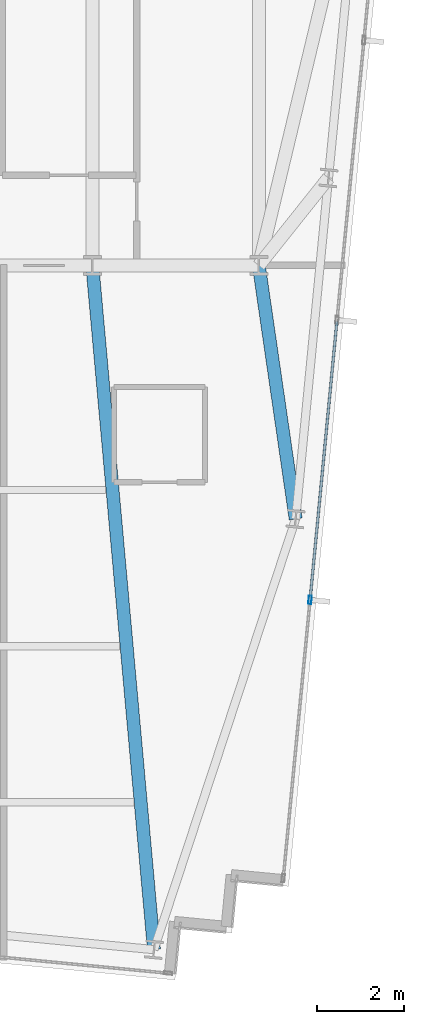
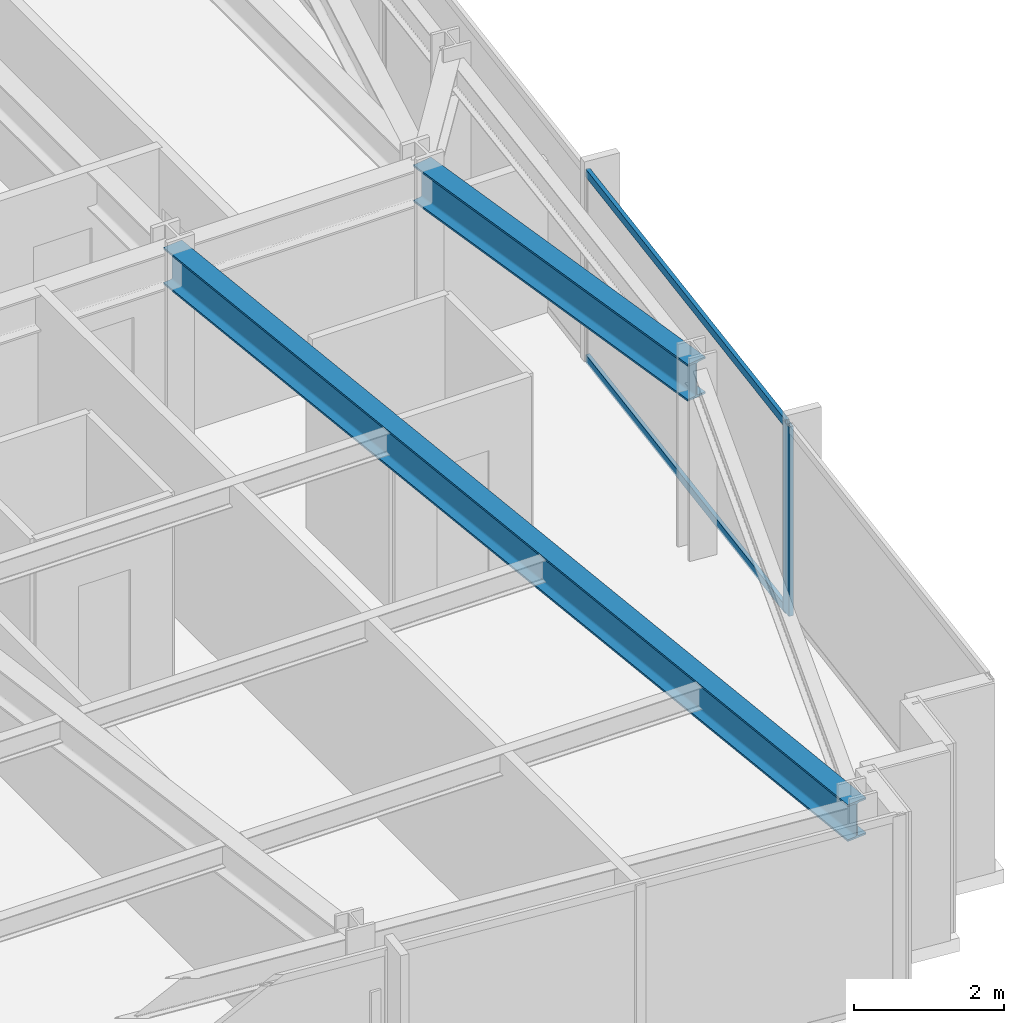
# One storey, part 15 of 37: 3 members, 2 beams, 1 element without a shape of its own.
"""IFC4 building model written with IfcOpenShell, lengths in metres."""

from ifc_helpers import new_model, si_unit, direction, frame, origin, origin_2d, place, context, subcontext, project, spatial, hollow_rectangle, i_section, extrude, material, material_profile, profile_set, type_object, element, aggregate, save


model = new_model("IFC4")

# Units and contexts
model_context = context("Model", 3, precision=1e-05, world=origin(), true_north=direction((0.0, 1.0)))
body_context = subcontext(model_context, "Body", "Model", "MODEL_VIEW")
ifc_project = project(units=[si_unit("LENGTHUNIT", "METRE"), si_unit("AREAUNIT", "SQUARE_METRE"), si_unit("VOLUMEUNIT", "CUBIC_METRE"), si_unit("PLANEANGLEUNIT", "RADIAN"), si_unit("MASSUNIT", "GRAM", prefix="KILO")], contexts=[model_context])

# Site, building, storey
site_placement = place(None, origin())
site = spatial("IfcSite", under=ifc_project, at=site_placement, CompositionType="ELEMENT")
building_placement = place(site_placement, origin())
building = spatial("IfcBuilding", under=site, at=building_placement, Name="Yelkora Congress Tower", CompositionType="ELEMENT")
storey_placement = place(building_placement, frame((0.0, 0.0, 158.89990234375)))
storey = spatial("IfcBuildingStorey", under=building, at=storey_placement, Name="L43", CompositionType="ELEMENT", Elevation=158.89990234375)

# Beams
ifc_material_1 = material(Name="Steel S355J2", Category="steel")
ifc_material_profile_1 = material_profile(ifc_material_1, i_section(OverallWidth=0.300048828125, OverallDepth=0.60009765625, WebThickness=0.015380859375, FlangeThickness=0.030029296875, FilletRadius=0.027099609375, at=origin_2d()), Name="HEB 600")
ifc_profile_set_1 = profile_set([ifc_material_profile_1], Name="Steel S355J2")
beam_type = type_object("IfcBeamType", Name="BM-GIRD-HEB600", PredefinedType="BEAM", material=ifc_profile_set_1)
beam_1_placement = place(storey_placement, frame((55.18212890625, 9.421142578125, 2.780029296875), z_axis=(-0.089764575953, 0.995963011815, 0.0), x_axis=(-0.995963011815, -0.089764575953, 0.0)))
element("IfcBeam", 1, at=beam_1_placement, inside=storey, type_object=beam_type, Name="L43 Primary Frame Girder S08", PredefinedType="BEAM", context=body_context, shape_type="SweptSolid", body=[
    extrude(i_section(OverallWidth=0.300048828125, OverallDepth=0.60009765625, WebThickness=0.015380859375, FlangeThickness=0.030029296875, FilletRadius=0.027099609375, at=origin_2d()), origin(), (0.0, 0.0, 1.0), 15.8427734375),
])
beam_2_placement = place(storey_placement, frame((58.44921875, 19.353759765625, 2.780029296875), z_axis=(-0.143735281382, 0.989616172506, 0.0), x_axis=(-0.989616172506, -0.143735281382, 0.0)))
element("IfcBeam", 2, at=beam_2_placement, inside=storey, type_object=beam_type, Name="L43 Primary Frame Girder E01", PredefinedType="BEAM", context=body_context, shape_type="SweptSolid", body=[
    extrude(i_section(OverallWidth=0.300048828125, OverallDepth=0.60009765625, WebThickness=0.015380859375, FlangeThickness=0.030029296875, FilletRadius=0.027099609375, at=origin_2d()), origin(), (0.0, 0.0, 1.0), 5.907470703125),
])

# Curtain wall, members
ifc_material_2 = material(Name="Anodised aluminium and insulated glass", Category="aluminium")
curtain_wall_type = type_object("IfcCurtainWallType", Name="CW-SYS-B3", PredefinedType="NOTDEFINED", material=ifc_material_2)
curtain_wall_placement = place(storey_placement, origin())
curtain_wall = element("IfcCurtainWall", 3, at=curtain_wall_placement, inside=storey, type_object=curtain_wall_type, Name="L43 Unitised Curtain Wall 15", PredefinedType="NOTDEFINED")
ifc_material_3 = material(Name="Anodised aluminium 6063-T6", Category="aluminium")
ifc_material_profile_2 = material_profile(ifc_material_3, hollow_rectangle(XDim=0.070068359375, YDim=0.18994140625, WallThickness=0.00390625, at=origin_2d()), Name="ALU 70x190x4")
ifc_profile_set_2 = profile_set([ifc_material_profile_2], Name="Anodised aluminium 6063-T6")
member_type_1 = type_object("IfcMemberType", Name="MEM-ML-B3", PredefinedType="MULLION", material=ifc_profile_set_2)
member_1_placement = place(storey_placement, frame((58.78173828125, 17.4873046875, 0.0), z_axis=(0.0, 0.0, 1.0), x_axis=(0.995396565076, -0.095841944023, 0.0)))
member_1 = element("IfcMember", 4, at=member_1_placement, type_object=member_type_1, Name="CW-B3 mullion 5", PredefinedType="MULLION", context=body_context, shape_type="SweptSolid", body=[
    extrude(hollow_rectangle(XDim=0.070068359375, YDim=0.18994140625, WallThickness=0.00390625, at=origin_2d()), origin(), (0.0, 0.0, 1.0), 3.080078125),
])
ifc_material_profile_3 = material_profile(ifc_material_3, hollow_rectangle(XDim=0.06005859375, YDim=0.1298828125, WallThickness=0.00390625, at=origin_2d()), Name="ALU 60x130x4")
ifc_profile_set_3 = profile_set([ifc_material_profile_3], Name="Anodised aluminium 6063-T6")
member_type_2 = type_object("IfcMemberType", Name="MEM-TR-B3", PredefinedType="USERDEFINED", material=ifc_profile_set_3)
member_2_placement = place(storey_placement, frame((59.39990234375, 23.90673828125, 0.030029296875), z_axis=(-0.095843682057, -0.995396397728, 0.0), x_axis=(0.995396397728, -0.095843682057, 0.0)))
member_2 = element("IfcMember", 5, at=member_2_placement, type_object=member_type_2, Name="CW-B3 transom 4.1", ObjectType="TRANSOM", PredefinedType="USERDEFINED", context=body_context, shape_type="SweptSolid", body=[
    extrude(hollow_rectangle(XDim=0.06005859375, YDim=0.1298828125, WallThickness=0.00390625, at=origin_2d()), origin(), (0.0, 0.0, 1.0), 6.4140625),
])
member_3_placement = place(storey_placement, frame((59.39990234375, 23.90673828125, 3.050048828125), z_axis=(-0.095843682057, -0.995396397728, 0.0), x_axis=(0.995396397728, -0.095843682057, 0.0)))
member_3 = element("IfcMember", 6, at=member_3_placement, type_object=member_type_2, Name="CW-B3 transom 4.2", ObjectType="TRANSOM", PredefinedType="USERDEFINED", context=body_context, shape_type="SweptSolid", body=[
    extrude(hollow_rectangle(XDim=0.06005859375, YDim=0.1298828125, WallThickness=0.00390625, at=origin_2d()), origin(), (0.0, 0.0, 1.0), 6.4140625),
])
aggregate(curtain_wall, [member_1, member_2, member_3])

save(model, "model.ifc")
